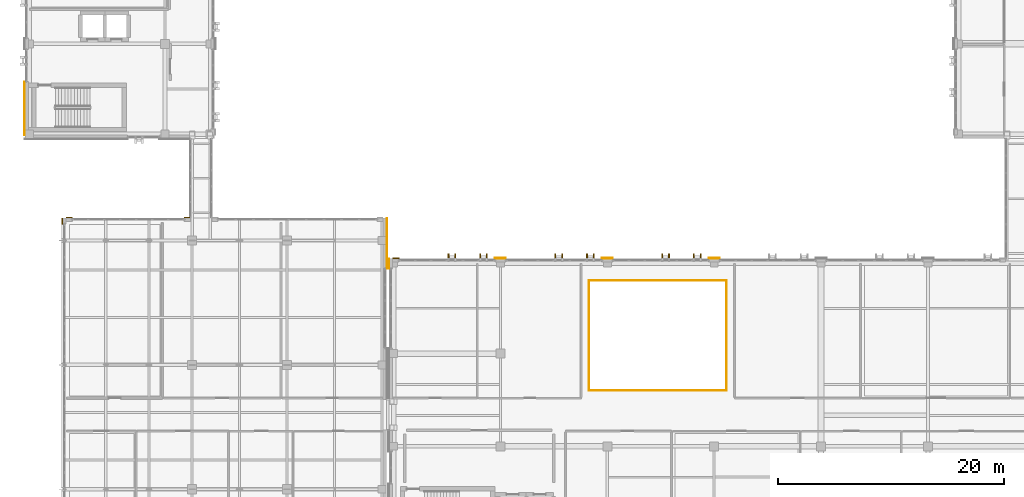
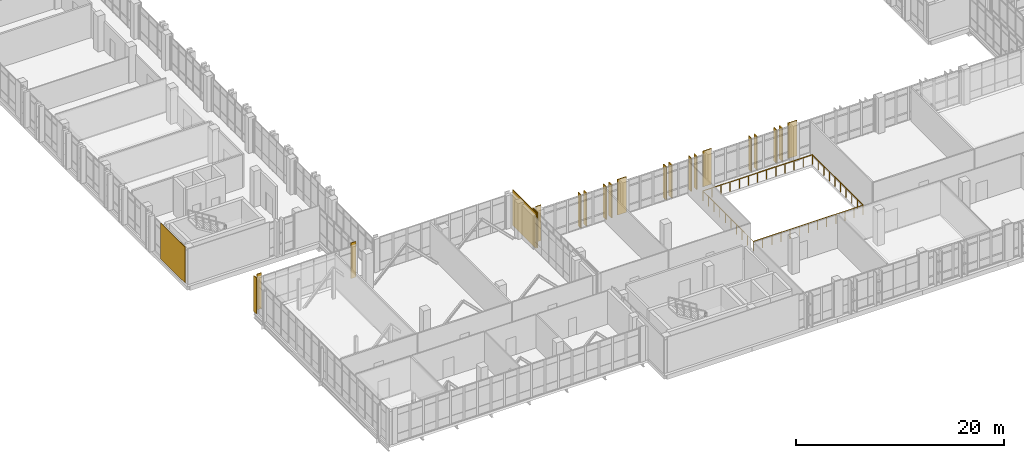
# One storey, part 175 of 193: 12 shading devices, 10 coverings, 4 railings.
"""IFC4 building model written with IfcOpenShell, lengths in metres."""

from ifc_helpers import new_model, si_unit, direction, frame, origin, origin_2d, place, context, subcontext, project, spatial, rectangle, circle, extrude, material, layer, layer_set, type_object, element, save


model = new_model("IFC4")

# Units and contexts
model_context = context("Model", 3, precision=1e-05, world=origin(), true_north=direction((0.0, 1.0)))
body_context = subcontext(model_context, "Body", "Model", "MODEL_VIEW")
ifc_project = project(units=[si_unit("LENGTHUNIT", "METRE"), si_unit("AREAUNIT", "SQUARE_METRE"), si_unit("VOLUMEUNIT", "CUBIC_METRE"), si_unit("PLANEANGLEUNIT", "RADIAN"), si_unit("MASSUNIT", "GRAM", prefix="KILO")], contexts=[model_context])

# Site, building, storey
site_placement = place(None, origin())
site = spatial("IfcSite", under=ifc_project, at=site_placement, CompositionType="ELEMENT")
building_placement = place(site_placement, origin())
building = spatial("IfcBuilding", under=site, at=building_placement, Name="Qalavern Law Courts", CompositionType="ELEMENT")
storey_placement = place(building_placement, frame((0.0, 0.0, 10.199951171875)))
storey = spatial("IfcBuildingStorey", under=building, at=storey_placement, Name="L02", CompositionType="ELEMENT", Elevation=10.199951171875)

# Coverings
ifc_material_1 = material(Name="Precast concrete C40/50", Category="concrete")
ifc_layer = layer(ifc_material_1, 0.072021484375)
ifc_layer_set = layer_set([ifc_layer], Name="Precast concrete C40/50")
covering_type = type_object("IfcCoveringType", Name="ENV-CLD-2", PredefinedType="CLADDING", material=ifc_layer_set)
covering_1_placement = place(storey_placement, frame((34.032958984375, 31.75, 0.01025390625), z_axis=(0.0, 0.0, 1.0), x_axis=(0.0, 1.0, 0.0)))
element("IfcCovering", 1, at=covering_1_placement, inside=storey, type_object=covering_type, Name="V1 Absheron limestone pier facing L02 east 2", PredefinedType="CLADDING", context=body_context, shape_type="SweptSolid", body=[
    extrude(rectangle(XDim=4.47998046875, YDim=0.072021484375, at=origin_2d()), origin(), (0.0, 0.0, 1.0), 4.179931640625),
])
for number, where, z_axis, x_axis, name in (
    (2, (16.375, 34.032958984375, 0.01025390625), (0.0, 0.0, 1.0), (-1.0, 0.0, 0.0), "V1 Absheron limestone pier facing L02 north 1"),
    (3, (5.929931640625, 34.032958984375, 0.01025390625), (0.0, 0.0, 1.0), (-1.0, 0.0, 0.0), "V1 Absheron limestone pier facing L02 north 2"),
    (4, (5.31689453125, 33.72509765625, 0.01025390625), (0.0, 0.0, 1.0), (0.0, -1.0, 0.0), "V1 Absheron limestone pier facing L02 west 1"),
):
    element("IfcCovering", number, at=place(storey_placement, frame(where, z_axis=z_axis, x_axis=x_axis)), inside=storey, type_object=covering_type, Name=name, PredefinedType="CLADDING", context=body_context, shape_type="SweptSolid", body=[
        extrude(rectangle(XDim=0.530029296875, YDim=0.072021484375, at=origin_2d()), origin(), (0.0, 0.0, 1.0), 4.179931640625),
    ])
for number, where, z_axis, x_axis, name in (
    (5, (62.98291015625, 30.43310546875, 0.01025390625), (0.0, 0.0, 1.0), (-1.0, 0.0, 0.0), "V2 Absheron limestone pier facing L02 north 4"),
    (6, (53.528564453125, 30.43310546875, 0.01025390625), (0.0, 0.0, 1.0), (-1.0, 0.0, 0.0), "V2 Absheron limestone pier facing L02 north 5"),
    (7, (44.07421875, 30.43310546875, 0.01025390625), (0.0, 0.0, 1.0), (-1.0, 0.0, 0.0), "V2 Absheron limestone pier facing L02 north 6"),
):
    element("IfcCovering", number, at=place(storey_placement, frame(where, z_axis=z_axis, x_axis=x_axis)), inside=storey, type_object=covering_type, Name=name, PredefinedType="CLADDING", context=body_context, shape_type="SweptSolid", body=[
        extrude(rectangle(XDim=0.97998046875, YDim=0.072021484375, at=origin_2d()), origin(), (0.0, 0.0, 1.0), 4.179931640625),
    ])
covering_2_placement = place(storey_placement, frame((34.822509765625, 30.43310546875, 0.01025390625), z_axis=(0.0, 0.0, 1.0), x_axis=(-1.0, 0.0, 0.0)))
element("IfcCovering", 8, at=covering_2_placement, inside=storey, type_object=covering_type, Name="V2 Absheron limestone pier facing L02 north 7", PredefinedType="CLADDING", context=body_context, shape_type="SweptSolid", body=[
    extrude(rectangle(XDim=0.574951171875, YDim=0.072021484375, at=origin_2d()), origin(), (0.0, 0.0, 1.0), 4.179931640625),
])
covering_3_placement = place(storey_placement, frame((34.18701171875, 29.949951171875, 0.01025390625), z_axis=(0.0, 0.0, 1.0), x_axis=(0.0, -1.0, 0.0)))
element("IfcCovering", 9, at=covering_3_placement, inside=storey, type_object=covering_type, Name="V2 Absheron limestone pier facing L02 west 1", PredefinedType="CLADDING", context=body_context, shape_type="SweptSolid", body=[
    extrude(rectangle(XDim=0.8798828125, YDim=0.072021484375, at=origin_2d()), origin(), (0.0, 0.0, 1.0), 4.179931640625),
])
covering_4_placement = place(storey_placement, frame((1.967041015625, 43.6875, 0.01025390625), z_axis=(0.0, 0.0, 1.0), x_axis=(0.0, -1.0, 0.0)))
element("IfcCovering", 10, at=covering_4_placement, inside=storey, type_object=covering_type, Name="V3 Absheron limestone pier facing L02 west 8", PredefinedType="CLADDING", context=body_context, shape_type="SweptSolid", body=[
    extrude(rectangle(XDim=4.705078125, YDim=0.072021484375, at=origin_2d()), origin(), (0.0, 0.0, 1.0), 4.179931640625),
])

# Shading devices
shading_device_type = type_object("IfcShadingDeviceType", Name="ENV-FIN-2", PredefinedType="USERDEFINED", material=ifc_material_1)
for number, where, z_axis, x_axis, name in (
    (11, (61.782958984375, 30.554931640625, 0.010009765625), (0.0, 0.0, 1.0), (0.0, 1.0, 0.0), "Hall solar shading fin 0085"),
    (12, (61.182861328125, 30.554931640625, 0.010009765625), (0.0, 0.0, 1.0), (0.0, 1.0, 0.0), "Hall solar shading fin 0086"),
    (13, (58.98291015625, 30.554931640625, 0.010009765625), (0.0, 0.0, 1.0), (0.0, 1.0, 0.0), "Hall solar shading fin 0087"),
    (14, (58.3828125, 30.554931640625, 0.010009765625), (0.0, 0.0, 1.0), (0.0, 1.0, 0.0), "Hall solar shading fin 0088"),
    (15, (52.32861328125, 30.554931640625, 0.010009765625), (0.0, 0.0, 1.0), (0.0, 1.0, 0.0), "Hall solar shading fin 0089"),
    (16, (51.728515625, 30.554931640625, 0.010009765625), (0.0, 0.0, 1.0), (0.0, 1.0, 0.0), "Hall solar shading fin 0090"),
    (17, (49.528564453125, 30.554931640625, 0.010009765625), (0.0, 0.0, 1.0), (0.0, 1.0, 0.0), "Hall solar shading fin 0091"),
    (18, (48.9287109375, 30.554931640625, 0.010009765625), (0.0, 0.0, 1.0), (0.0, 1.0, 0.0), "Hall solar shading fin 0092"),
    (19, (42.874267578125, 30.554931640625, 0.010009765625), (0.0, 0.0, 1.0), (0.0, 1.0, 0.0), "Hall solar shading fin 0093"),
    (20, (42.2744140625, 30.554931640625, 0.010009765625), (0.0, 0.0, 1.0), (0.0, 1.0, 0.0), "Hall solar shading fin 0094"),
    (21, (40.07421875, 30.554931640625, 0.010009765625), (0.0, 0.0, 1.0), (0.0, 1.0, 0.0), "Hall solar shading fin 0095"),
    (22, (39.474365234375, 30.554931640625, 0.010009765625), (0.0, 0.0, 1.0), (0.0, 1.0, 0.0), "Hall solar shading fin 0096"),
):
    element("IfcShadingDevice", number, at=place(storey_placement, frame(where, z_axis=z_axis, x_axis=x_axis)), inside=storey, type_object=shading_device_type, Name=name, ObjectType="FIN", PredefinedType="USERDEFINED", context=body_context, shape_type="SweptSolid", body=[
        extrude(rectangle(XDim=0.5400390625, YDim=0.10498046875, at=origin_2d()), origin(), (0.0, 0.0, 1.0), 3.89501953125),
    ])

# Railings
ifc_material_2 = material(Name="Steel S355", Category="steel")
railing_type = type_object("IfcRailingType", Name="INT-GUARD-1120", PredefinedType="BALUSTRADE", material=ifc_material_2)
railing_1_placement = place(storey_placement, frame((51.919921875, 18.719970703125, 0.0)))
element("IfcRailing", 23, at=railing_1_placement, inside=storey, type_object=railing_type, Name="V2 atrium gallery void balustrade L02-1.1", PredefinedType="BALUSTRADE", context=body_context, shape_type="SweptSolid", body=[
    extrude(circle(Radius=0.02392578125, at=origin_2d()), frame((0.0, 0.0, 1.09619140625), z_axis=(1.0, 0.0, 0.0), x_axis=(0.0, 1.0, 0.0)), (0.0, 0.0, 1.0), 12.16015625),
    extrude(circle(Radius=0.02099609375, at=origin_2d()), origin(), (0.0, 0.0, 1.0), 1.072021484375),
    extrude(circle(Radius=0.02099609375, at=origin_2d()), frame((1.013427734375, 0.0, 0.0)), (0.0, 0.0, 1.0), 1.072021484375),
    extrude(circle(Radius=0.02099609375, at=origin_2d()), frame((2.026611328125, 0.0, 0.0)), (0.0, 0.0, 1.0), 1.072021484375),
    extrude(circle(Radius=0.02099609375, at=origin_2d()), frame((3.0400390625, 0.0, 0.0)), (0.0, 0.0, 1.0), 1.072021484375),
    extrude(circle(Radius=0.02099609375, at=origin_2d()), frame((4.053466796875, 0.0, 0.0)), (0.0, 0.0, 1.0), 1.072021484375),
    extrude(circle(Radius=0.02099609375, at=origin_2d()), frame((5.066650390625, 0.0, 0.0)), (0.0, 0.0, 1.0), 1.072021484375),
    extrude(circle(Radius=0.02099609375, at=origin_2d()), frame((6.080078125, 0.0, 0.0)), (0.0, 0.0, 1.0), 1.072021484375),
    extrude(circle(Radius=0.02099609375, at=origin_2d()), frame((7.093505859375, 0.0, 0.0)), (0.0, 0.0, 1.0), 1.072021484375),
    extrude(circle(Radius=0.02099609375, at=origin_2d()), frame((8.106689453125, 0.0, 0.0)), (0.0, 0.0, 1.0), 1.072021484375),
    extrude(circle(Radius=0.02099609375, at=origin_2d()), frame((9.1201171875, 0.0, 0.0)), (0.0, 0.0, 1.0), 1.072021484375),
    extrude(circle(Radius=0.02099609375, at=origin_2d()), frame((10.133544921875, 0.0, 0.0)), (0.0, 0.0, 1.0), 1.072021484375),
    extrude(circle(Radius=0.02099609375, at=origin_2d()), frame((11.146728515625, 0.0, 0.0)), (0.0, 0.0, 1.0), 1.072021484375),
    extrude(circle(Radius=0.02099609375, at=origin_2d()), frame((12.16015625, 0.0, 0.0)), (0.0, 0.0, 1.0), 1.072021484375),
])
railing_2_placement = place(storey_placement, frame((64.080078125, 18.77001953125, 0.0)))
element("IfcRailing", 24, at=railing_2_placement, inside=storey, type_object=railing_type, Name="V2 atrium gallery void balustrade L02-1.2", PredefinedType="BALUSTRADE", context=body_context, shape_type="SweptSolid", body=[
    extrude(circle(Radius=0.02392578125, at=origin_2d()), frame((0.0, 0.0, 1.09619140625), z_axis=(0.0, 1.0, 0.0), x_axis=(-1.0, 0.0, 0.0)), (0.0, 0.0, 1.0), 9.659912109375),
    extrude(circle(Radius=0.02099609375, at=origin_2d()), origin(), (0.0, 0.0, 1.0), 1.072021484375),
    extrude(circle(Radius=0.02099609375, at=origin_2d()), frame((0.0, 1.0732421875, 0.0)), (0.0, 0.0, 1.0), 1.072021484375),
    extrude(circle(Radius=0.02099609375, at=origin_2d()), frame((0.0, 2.146728515625, 0.0)), (0.0, 0.0, 1.0), 1.072021484375),
    extrude(circle(Radius=0.02099609375, at=origin_2d()), frame((0.0, 3.219970703125, 0.0)), (0.0, 0.0, 1.0), 1.072021484375),
    extrude(circle(Radius=0.02099609375, at=origin_2d()), frame((0.0, 4.293212890625, 0.0)), (0.0, 0.0, 1.0), 1.072021484375),
    extrude(circle(Radius=0.02099609375, at=origin_2d()), frame((0.0, 5.36669921875, 0.0)), (0.0, 0.0, 1.0), 1.072021484375),
    extrude(circle(Radius=0.02099609375, at=origin_2d()), frame((0.0, 6.43994140625, 0.0)), (0.0, 0.0, 1.0), 1.072021484375),
    extrude(circle(Radius=0.02099609375, at=origin_2d()), frame((0.0, 7.51318359375, 0.0)), (0.0, 0.0, 1.0), 1.072021484375),
    extrude(circle(Radius=0.02099609375, at=origin_2d()), frame((0.0, 8.586669921875, 0.0)), (0.0, 0.0, 1.0), 1.072021484375),
    extrude(circle(Radius=0.02099609375, at=origin_2d()), frame((0.0, 9.659912109375, 0.0)), (0.0, 0.0, 1.0), 1.072021484375),
])
railing_3_placement = place(storey_placement, frame((64.080078125, 28.47998046875, 0.0)))
element("IfcRailing", 25, at=railing_3_placement, inside=storey, type_object=railing_type, Name="V2 atrium gallery void balustrade L02-1.3", PredefinedType="BALUSTRADE", context=body_context, shape_type="SweptSolid", body=[
    extrude(circle(Radius=0.02392578125, at=origin_2d()), frame((0.0, 0.0, 1.09619140625), z_axis=(-1.0, 0.0, 0.0), x_axis=(0.0, -1.0, 0.0)), (0.0, 0.0, 1.0), 12.16015625),
    extrude(circle(Radius=0.02099609375, at=origin_2d()), origin(), (0.0, 0.0, 1.0), 1.072021484375),
    extrude(circle(Radius=0.02099609375, at=origin_2d()), frame((-1.013427734375, 0.0, 0.0)), (0.0, 0.0, 1.0), 1.072021484375),
    extrude(circle(Radius=0.02099609375, at=origin_2d()), frame((-2.026611328125, 0.0, 0.0)), (0.0, 0.0, 1.0), 1.072021484375),
    extrude(circle(Radius=0.02099609375, at=origin_2d()), frame((-3.0400390625, 0.0, 0.0)), (0.0, 0.0, 1.0), 1.072021484375),
    extrude(circle(Radius=0.02099609375, at=origin_2d()), frame((-4.053466796875, 0.0, 0.0)), (0.0, 0.0, 1.0), 1.072021484375),
    extrude(circle(Radius=0.02099609375, at=origin_2d()), frame((-5.066650390625, 0.0, 0.0)), (0.0, 0.0, 1.0), 1.072021484375),
    extrude(circle(Radius=0.02099609375, at=origin_2d()), frame((-6.080078125, 0.0, 0.0)), (0.0, 0.0, 1.0), 1.072021484375),
    extrude(circle(Radius=0.02099609375, at=origin_2d()), frame((-7.093505859375, 0.0, 0.0)), (0.0, 0.0, 1.0), 1.072021484375),
    extrude(circle(Radius=0.02099609375, at=origin_2d()), frame((-8.106689453125, 0.0, 0.0)), (0.0, 0.0, 1.0), 1.072021484375),
    extrude(circle(Radius=0.02099609375, at=origin_2d()), frame((-9.1201171875, 0.0, 0.0)), (0.0, 0.0, 1.0), 1.072021484375),
    extrude(circle(Radius=0.02099609375, at=origin_2d()), frame((-10.133544921875, 0.0, 0.0)), (0.0, 0.0, 1.0), 1.072021484375),
    extrude(circle(Radius=0.02099609375, at=origin_2d()), frame((-11.146728515625, 0.0, 0.0)), (0.0, 0.0, 1.0), 1.072021484375),
    extrude(circle(Radius=0.02099609375, at=origin_2d()), frame((-12.16015625, 0.0, 0.0)), (0.0, 0.0, 1.0), 1.072021484375),
])
railing_4_placement = place(storey_placement, frame((51.919921875, 28.429931640625, 0.0)))
element("IfcRailing", 26, at=railing_4_placement, inside=storey, type_object=railing_type, Name="V2 atrium gallery void balustrade L02-1.4", PredefinedType="BALUSTRADE", context=body_context, shape_type="SweptSolid", body=[
    extrude(circle(Radius=0.02392578125, at=origin_2d()), frame((0.0, 0.0, 1.09619140625), z_axis=(0.0, -1.0, 0.0), x_axis=(1.0, 0.0, 0.0)), (0.0, 0.0, 1.0), 9.659912109375),
    extrude(circle(Radius=0.02099609375, at=origin_2d()), origin(), (0.0, 0.0, 1.0), 1.072021484375),
    extrude(circle(Radius=0.02099609375, at=origin_2d()), frame((0.0, -1.0732421875, 0.0)), (0.0, 0.0, 1.0), 1.072021484375),
    extrude(circle(Radius=0.02099609375, at=origin_2d()), frame((0.0, -2.146728515625, 0.0)), (0.0, 0.0, 1.0), 1.072021484375),
    extrude(circle(Radius=0.02099609375, at=origin_2d()), frame((0.0, -3.219970703125, 0.0)), (0.0, 0.0, 1.0), 1.072021484375),
    extrude(circle(Radius=0.02099609375, at=origin_2d()), frame((0.0, -4.293212890625, 0.0)), (0.0, 0.0, 1.0), 1.072021484375),
    extrude(circle(Radius=0.02099609375, at=origin_2d()), frame((0.0, -5.36669921875, 0.0)), (0.0, 0.0, 1.0), 1.072021484375),
    extrude(circle(Radius=0.02099609375, at=origin_2d()), frame((0.0, -6.43994140625, 0.0)), (0.0, 0.0, 1.0), 1.072021484375),
    extrude(circle(Radius=0.02099609375, at=origin_2d()), frame((0.0, -7.51318359375, 0.0)), (0.0, 0.0, 1.0), 1.072021484375),
    extrude(circle(Radius=0.02099609375, at=origin_2d()), frame((0.0, -8.586669921875, 0.0)), (0.0, 0.0, 1.0), 1.072021484375),
    extrude(circle(Radius=0.02099609375, at=origin_2d()), frame((0.0, -9.659912109375, 0.0)), (0.0, 0.0, 1.0), 1.072021484375),
])

save(model, "model.ifc")
